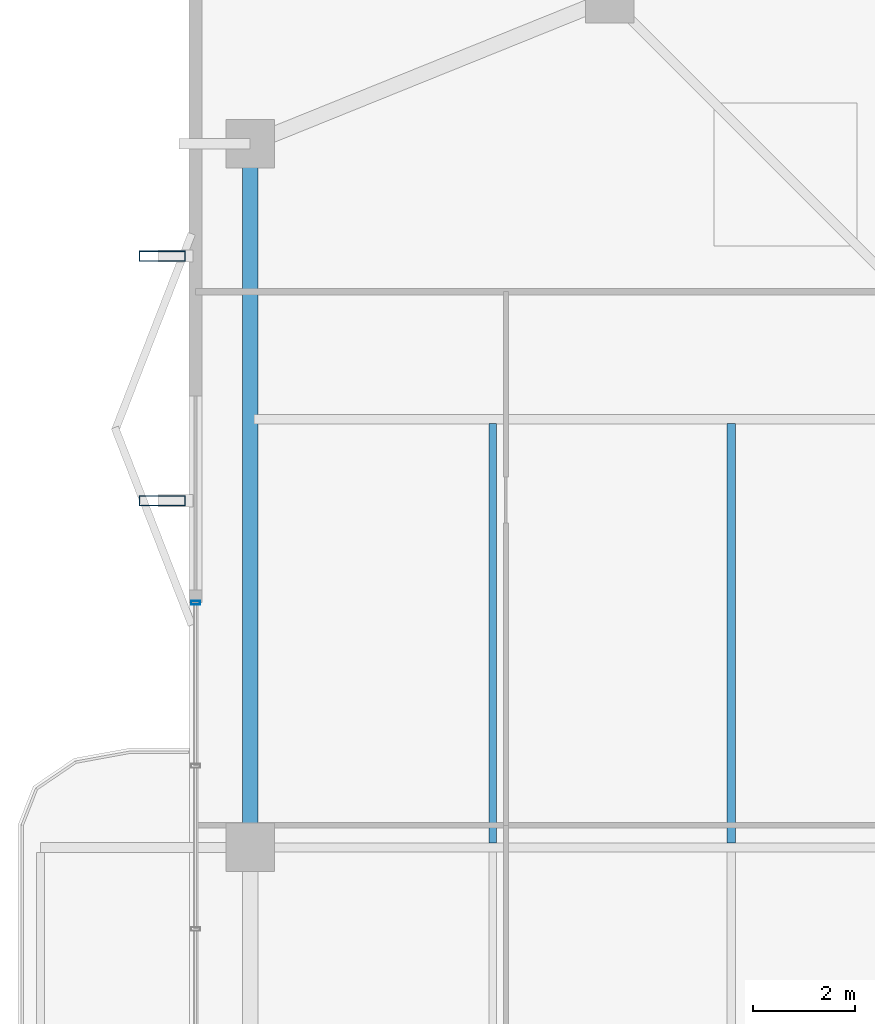
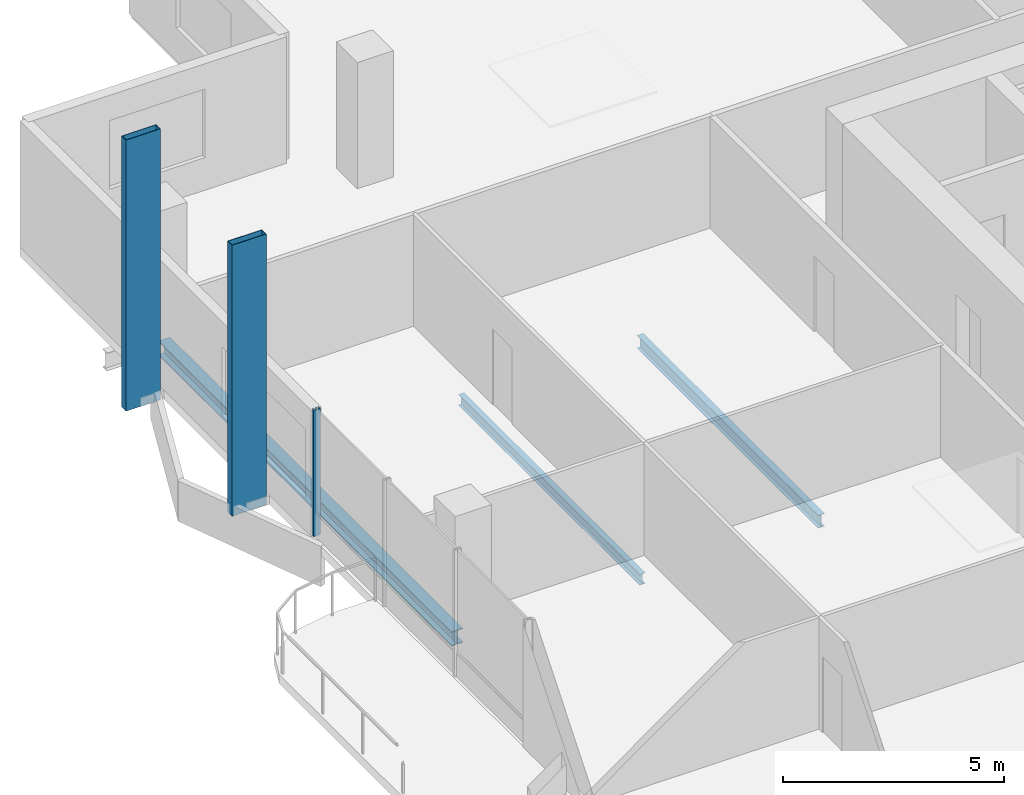
# One storey, part 11 of 25: 3 beams, 3 members, 1 element without a shape of its own.
"""IFC4 building model written with IfcOpenShell, lengths in metres."""

from ifc_helpers import new_model, si_unit, direction, frame, origin, origin_2d, place, context, subcontext, project, spatial, hollow_rectangle, i_section, extrude, material, layer, layer_set, material_profile, profile_set, type_object, element, aggregate, save


model = new_model("IFC4")

# Units and contexts
model_context = context("Model", 3, precision=1e-05, world=origin(), true_north=direction((0.0, 1.0)))
body_context = subcontext(model_context, "Body", "Model", "MODEL_VIEW")
ifc_project = project(units=[si_unit("LENGTHUNIT", "METRE"), si_unit("AREAUNIT", "SQUARE_METRE"), si_unit("VOLUMEUNIT", "CUBIC_METRE"), si_unit("PLANEANGLEUNIT", "RADIAN"), si_unit("MASSUNIT", "GRAM", prefix="KILO")], contexts=[model_context])

# Site, building, storey
site_placement = place(None, origin())
site = spatial("IfcSite", under=ifc_project, at=site_placement, CompositionType="ELEMENT")
building_placement = place(site_placement, origin())
building = spatial("IfcBuilding", under=site, at=building_placement, Name="Belovzor Exchange Tower", CompositionType="ELEMENT")
storey_placement = place(building_placement, frame((0.0, 0.0, 272.85009765625)))
storey = spatial("IfcBuildingStorey", under=building, at=storey_placement, Name="L68", CompositionType="ELEMENT", Elevation=272.85009765625)

# Beams
ifc_material_1 = material(Name="Steel S355", Category="steel")
ifc_material_profile_1 = material_profile(ifc_material_1, i_section(OverallWidth=0.169921875, OverallDepth=0.360107421875, WebThickness=0.008056640625, FlangeThickness=0.0126953125, at=origin_2d()))
ifc_profile_set_1 = profile_set([ifc_material_profile_1], Name="Steel S355")
beam_type_1 = type_object("IfcBeamType", Name="Secondary Infill Floor Joist IPE 360", PredefinedType="BEAM", material=ifc_profile_set_1)
beam_1_placement = place(storey_placement, frame((14.534912109375, 28.889892578125, -0.43017578125), z_axis=(0.0, 1.0, 0.0), x_axis=(-1.0, 0.0, 0.0)))
element("IfcBeam", 1, at=beam_1_placement, inside=storey, type_object=beam_type_1, Name="FJ-360 Secondary Infill Floor Joist IPE 360", PredefinedType="BEAM", context=body_context, shape_type="SweptSolid", body=[
    extrude(i_section(OverallWidth=0.169921875, OverallDepth=0.360107421875, WebThickness=0.008056640625, FlangeThickness=0.0126953125, at=origin_2d()), origin(), (0.0, 0.0, 1.0), 8.22021484375),
])
ifc_material_2 = material(Name="Steel S355", Category="steel")
ifc_material_profile_2 = material_profile(ifc_material_2, i_section(OverallWidth=0.14990234375, OverallDepth=0.300048828125, WebThickness=0.007080078125, FlangeThickness=0.0107421875, at=origin_2d()))
ifc_profile_set_2 = profile_set([ifc_material_profile_2], Name="Steel S355")
beam_type_2 = type_object("IfcBeamType", Name="Secondary Trim Floor Joist IPE 300", PredefinedType="BEAM", material=ifc_profile_set_2)
beam_2_placement = place(storey_placement, frame((9.85498046875, 28.889892578125, -0.400146484375), z_axis=(0.0, 1.0, 0.0), x_axis=(-1.0, 0.0, 0.0)))
element("IfcBeam", 2, at=beam_2_placement, inside=storey, type_object=beam_type_2, Name="FJ-300 Secondary Trim Floor Joist IPE 300", PredefinedType="BEAM", context=body_context, shape_type="SweptSolid", body=[
    extrude(i_section(OverallWidth=0.14990234375, OverallDepth=0.300048828125, WebThickness=0.007080078125, FlangeThickness=0.0107421875, at=origin_2d()), origin(), (0.0, 0.0, 1.0), 8.22021484375),
])

# Members
ifc_material_3 = material(Name="Extruded Architectural Terracotta on Steel S355 Carrier", Category="masonry")
ifc_material_profile_3 = material_profile(ifc_material_3, hollow_rectangle(XDim=0.199951171875, YDim=0.89990234375, WallThickness=0.011962890625, at=origin_2d()))
ifc_profile_set_3 = profile_set([ifc_material_profile_3], Name="Extruded Architectural Terracotta on Steel S355 Carrier")
member_type_1 = type_object("IfcMemberType", Name="Sweeping Terracotta Baguette Fin Assembly 950", PredefinedType="USERDEFINED", material=ifc_profile_set_3)
for number, where, z_axis, x_axis, name in (
    (3, (3.375, 35.60009765625, -0.25), (0.0, 0.0, 1.0), (0.0, 1.0, 0.0), "FIN-TC095 Terracotta Facade Fin L68 W3"),
    (4, (3.375, 40.39990234375, -0.25), (0.0, 0.0, 1.0), (0.0, 1.0, 0.0), "FIN-TC095 Terracotta Facade Fin L68 W4"),
):
    element("IfcMember", number, at=place(storey_placement, frame(where, z_axis=z_axis, x_axis=x_axis)), inside=storey, type_object=member_type_1, Name=name, ObjectType="FIN", PredefinedType="USERDEFINED", context=body_context, shape_type="SweptSolid", body=[
        extrude(hollow_rectangle(XDim=0.199951171875, YDim=0.89990234375, WallThickness=0.011962890625, at=origin_2d()), origin(), (0.0, 0.0, 1.0), 7.5),
    ])

# Curtain wall, member
ifc_material_4 = material(Name="Anodised Aluminium Framing", Category="aluminium")
ifc_layer = layer(ifc_material_4, 0.179931640625)
ifc_layer_set = layer_set([ifc_layer], Name="Anodised Aluminium Framing")
curtain_wall_type = type_object("IfcCurtainWallType", Name="Recessed Loggia Low-Iron Triple-Glazed Curtain Wall", PredefinedType="NOTDEFINED", material=ifc_layer_set)
curtain_wall_placement = place(storey_placement, origin())
curtain_wall = element("IfcCurtainWall", 5, at=curtain_wall_placement, inside=storey, type_object=curtain_wall_type, Name="CW3 Recessed Loggia Low-Iron Triple-Glazed Curtain Wall L68", PredefinedType="NOTDEFINED")
ifc_material_5 = material(Name="Steel S355", Category="steel")
ifc_material_profile_4 = material_profile(ifc_material_5, hollow_rectangle(XDim=0.074951171875, YDim=0.179931640625, WallThickness=0.0048828125, at=origin_2d()))
ifc_profile_set_4 = profile_set([ifc_material_profile_4], Name="Steel S355")
member_type_2 = type_object("IfcMemberType", Name="Thermally Broken Curtain Wall Mullion 180x75", PredefinedType="MULLION", material=ifc_profile_set_4)
member_placement = place(storey_placement, frame((4.030029296875, 33.60009765625, 0.0), z_axis=(0.0, 0.0, 1.0), x_axis=(0.0, 1.0, 0.0)))
member = element("IfcMember", 6, at=member_placement, type_object=member_type_2, Name="CW-M180 Curtain Wall Mullion 4", PredefinedType="MULLION", context=body_context, shape_type="SweptSolid", body=[
    extrude(hollow_rectangle(XDim=0.074951171875, YDim=0.179931640625, WallThickness=0.0048828125, at=origin_2d()), origin(), (0.0, 0.0, 1.0), 3.5),
])
aggregate(curtain_wall, [member])

# Beam
ifc_material_6 = material(Name="Steel S355", Category="steel")
ifc_material_profile_5 = material_profile(ifc_material_6, i_section(OverallWidth=0.300048828125, OverallDepth=0.39990234375, WebThickness=0.013427734375, FlangeThickness=0.02392578125, at=origin_2d()))
ifc_profile_set_5 = profile_set([ifc_material_profile_5], Name="Steel S355")
beam_type_3 = type_object("IfcBeamType", Name="Zone 5 Primary Girder HEB 400", PredefinedType="BEAM", material=ifc_profile_set_5)
beam_3_placement = place(storey_placement, frame((5.10009765625, 42.339111328125, -0.4501953125), z_axis=(0.0, -1.0, 0.0), x_axis=(1.0, 0.0, 0.0)))
element("IfcBeam", 7, at=beam_3_placement, inside=storey, type_object=beam_type_3, Name="FG-Z5 Zone 5 Primary Girder HEB 400", PredefinedType="BEAM", context=body_context, shape_type="SweptSolid", body=[
    extrude(i_section(OverallWidth=0.300048828125, OverallDepth=0.39990234375, WebThickness=0.013427734375, FlangeThickness=0.02392578125, at=origin_2d()), origin(), (0.0, 0.0, 1.0), 13.278076171875),
])

save(model, "model.ifc")
